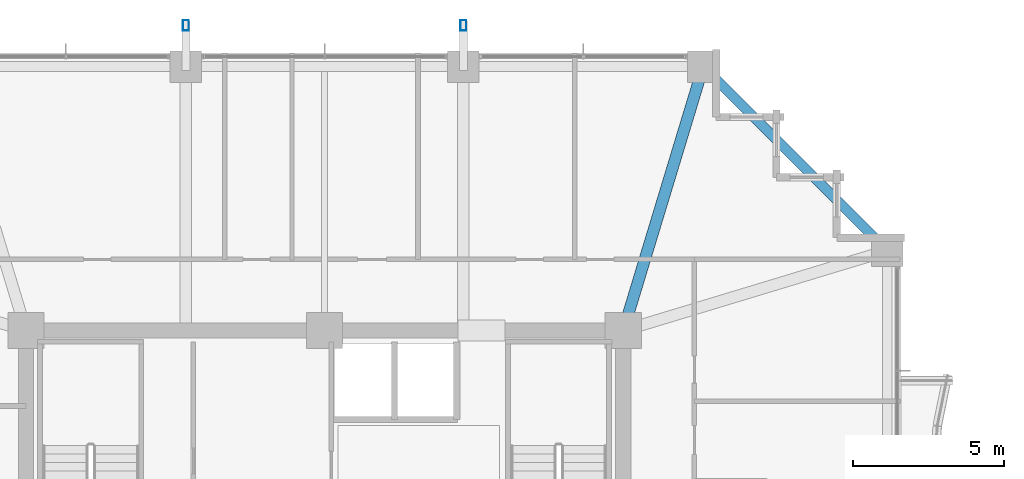
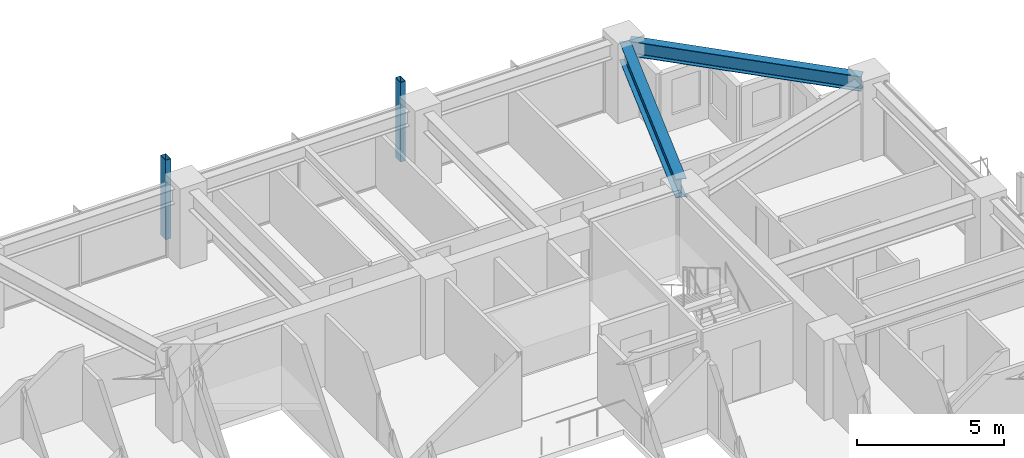
# One storey, part 22 of 35: 2 beams, 2 members.
"""IFC4 building model written with IfcOpenShell, lengths in metres."""

from ifc_helpers import new_model, si_unit, direction, frame, origin, origin_2d, place, context, subcontext, project, spatial, hollow_rectangle, i_section, extrude, material, material_profile, profile_set, type_object, element, save


model = new_model("IFC4")

# Units and contexts
model_context = context("Model", 3, precision=1e-05, world=origin(), true_north=direction((0.0, 1.0)))
body_context = subcontext(model_context, "Body", "Model", "MODEL_VIEW")
ifc_project = project(units=[si_unit("LENGTHUNIT", "METRE"), si_unit("AREAUNIT", "SQUARE_METRE"), si_unit("VOLUMEUNIT", "CUBIC_METRE"), si_unit("PLANEANGLEUNIT", "RADIAN"), si_unit("MASSUNIT", "GRAM", prefix="KILO")], contexts=[model_context])

# Site, building, storey
site_placement = place(None, origin())
site = spatial("IfcSite", under=ifc_project, at=site_placement, CompositionType="ELEMENT")
building_placement = place(site_placement, origin())
building = spatial("IfcBuilding", under=site, at=building_placement, Name="Kolvaren Belvedere", CompositionType="ELEMENT")
storey_placement = place(building_placement, frame((0.0, 0.0, 115.10009765625)))
storey = spatial("IfcBuildingStorey", under=building, at=storey_placement, Name="L33", CompositionType="ELEMENT", Elevation=115.10009765625)

# Beams
ifc_material_1 = material(Name="Structural steel ASTM A992 Grade 50", Category="steel")
ifc_material_profile_1 = material_profile(ifc_material_1, i_section(OverallWidth=0.381103515625, OverallDepth=0.77294921875, WebThickness=0.0166015625, FlangeThickness=0.027099609375, FilletRadius=0.02392578125, at=origin_2d()), Name="W30X173")
ifc_profile_set_1 = profile_set([ifc_material_profile_1], Name="Structural steel ASTM A992 Grade 50")
beam_type_1 = type_object("IfcBeamType", Name="BM-GIRD-W30X173", PredefinedType="BEAM", material=ifc_profile_set_1)
beam_1_placement = place(storey_placement, frame((10.059326171875, 10.426513671875, 2.693359375), z_axis=(0.289858652454, 0.957069465398, 0.0), x_axis=(-0.957069465398, 0.289858652454, 0.0)))
element("IfcBeam", 1, at=beam_1_placement, inside=storey, type_object=beam_type_1, Name="L33 Corner Core-to-Perimeter Girder CC3-N4", PredefinedType="BEAM", context=body_context, shape_type="SweptSolid", body=[
    extrude(i_section(OverallWidth=0.381103515625, OverallDepth=0.77294921875, WebThickness=0.0166015625, FlangeThickness=0.027099609375, FilletRadius=0.02392578125, at=origin_2d()), origin(), (0.0, 0.0, 1.0), 8.38232421875),
])
ifc_material_2 = material(Name="Structural steel ASTM A992 Grade 50", Category="steel")
ifc_material_profile_2 = material_profile(ifc_material_2, i_section(OverallWidth=0.324951171875, OverallDepth=0.615966796875, WebThickness=0.013916015625, FlangeThickness=0.021484375, FilletRadius=0.02001953125, at=origin_2d()), Name="W24X117")
ifc_profile_set_2 = profile_set([ifc_material_profile_2], Name="Structural steel ASTM A992 Grade 50")
beam_type_2 = type_object("IfcBeamType", Name="BM-SPAN-W24X117", PredefinedType="SPANDREL", material=ifc_profile_set_2)
beam_2_placement = place(storey_placement, frame((18.48291015625, 12.717041015625, 2.77197265625), z_axis=(-0.707106781187, 0.707106781187, 0.0), x_axis=(-0.707106781187, -0.707106781187, 0.0)))
element("IfcBeam", 2, at=beam_2_placement, inside=storey, type_object=beam_type_2, Name="L33 Perimeter Spandrel E4-N4", PredefinedType="SPANDREL", context=body_context, shape_type="SweptSolid", body=[
    extrude(i_section(OverallWidth=0.324951171875, OverallDepth=0.615966796875, WebThickness=0.013916015625, FlangeThickness=0.021484375, FilletRadius=0.02001953125, at=origin_2d()), origin(), (0.0, 0.0, 1.0), 8.154052734375),
])

# Members
ifc_material_3 = material(Name="Anodised pale-metal aluminium AA 6063-T6", Category="aluminium")
ifc_material_profile_3 = material_profile(ifc_material_3, hollow_rectangle(XDim=0.199951171875, YDim=0.35009765625, WallThickness=0.007568359375, at=origin_2d()), Name="ALU-PF-350X200")
ifc_profile_set_3 = profile_set([ifc_material_profile_3], Name="Anodised pale-metal aluminium AA 6063-T6")
member_type = type_object("IfcMemberType", Name="PF-FRAME-350", PredefinedType="USERDEFINED", material=ifc_profile_set_3)
for number, where, z_axis, x_axis, name in (
    (3, (-4.60009765625, 20.02001953125, 0.0), (0.0, 0.0, 1.0), (1.0, 0.0, 0.0), "L33 Outboard Picture-Frame Vertical N1"),
    (4, (4.60009765625, 20.02001953125, 0.0), (0.0, 0.0, 1.0), (1.0, 0.0, 0.0), "L33 Outboard Picture-Frame Vertical N2"),
):
    element("IfcMember", number, at=place(storey_placement, frame(where, z_axis=z_axis, x_axis=x_axis)), inside=storey, type_object=member_type, Name=name, ObjectType="PICTURE FRAME FIN", PredefinedType="USERDEFINED", context=body_context, shape_type="SweptSolid", body=[
        extrude(hollow_rectangle(XDim=0.199951171875, YDim=0.35009765625, WallThickness=0.007568359375, at=origin_2d()), origin(), (0.0, 0.0, 1.0), 3.2998046875),
    ])

save(model, "model.ifc")
